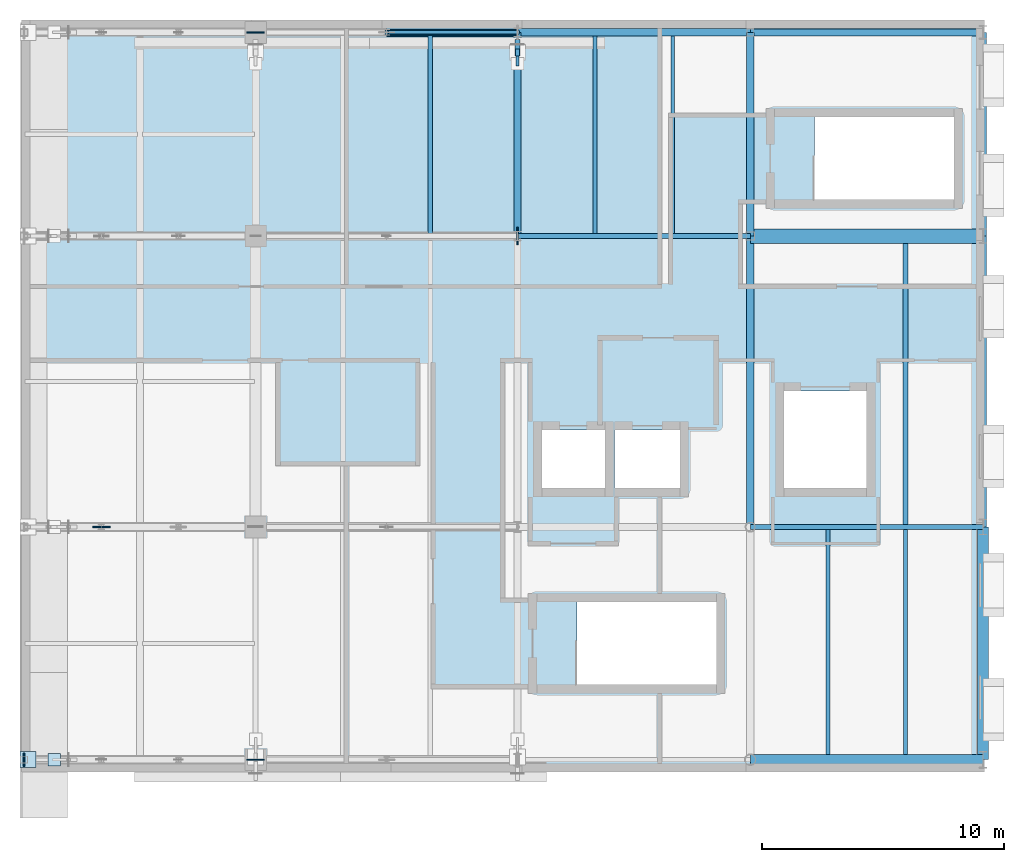
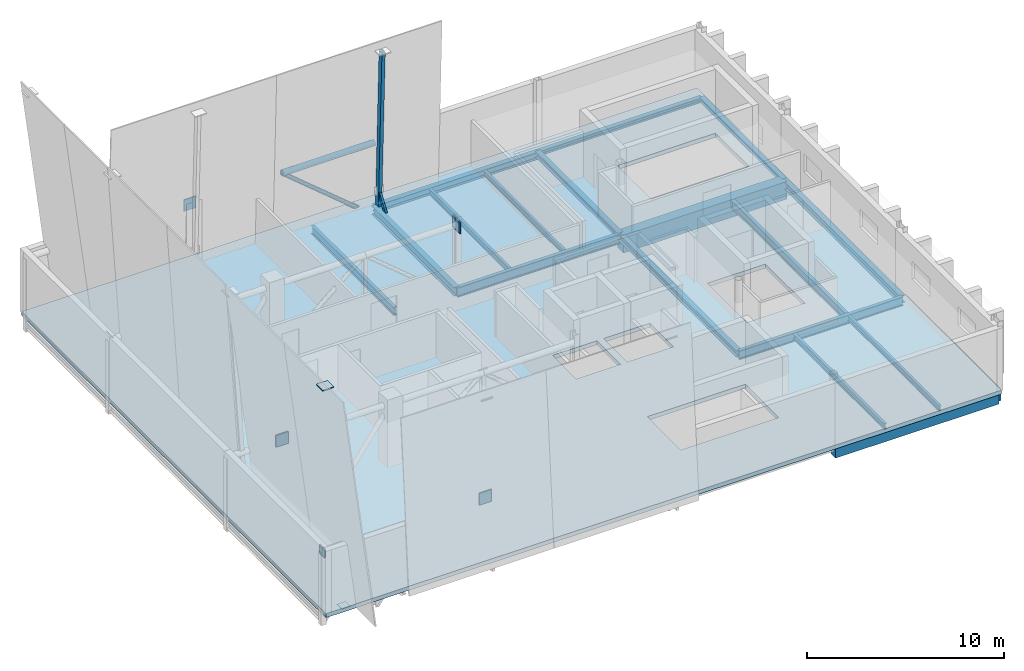
# One storey, part 4 of 10: 18 beams, 7 plates, 4 members, 1 slab.
"""IFC4 building model written with IfcOpenShell, lengths in metres."""

from ifc_helpers import new_model, si_unit, direction, frame, origin, origin_2d, place, context, subcontext, project, spatial, polyline, rectangle, hollow_rectangle, hollow_circle, i_section, outline, extrude, material, layer, layer_set, material_profile, profile_set, type_object, element, save


model = new_model("IFC4")

# Units and contexts
model_context = context("Model", 3, precision=1e-05, world=origin(), true_north=direction((0.0, 1.0)))
body_context = subcontext(model_context, "Body", "Model", "MODEL_VIEW")
ifc_project = project(units=[si_unit("LENGTHUNIT", "METRE"), si_unit("AREAUNIT", "SQUARE_METRE"), si_unit("VOLUMEUNIT", "CUBIC_METRE"), si_unit("PLANEANGLEUNIT", "RADIAN"), si_unit("MASSUNIT", "GRAM", prefix="KILO")], contexts=[model_context])

# Site, building, storey
site_placement = place(None, origin())
site = spatial("IfcSite", under=ifc_project, at=site_placement, CompositionType="ELEMENT")
building_placement = place(site_placement, origin())
building = spatial("IfcBuilding", under=site, at=building_placement, Name="Zereglee Splitstone Museum", CompositionType="ELEMENT")
storey_placement = place(building_placement, frame((0.0, 0.0, 25.5)))
storey = spatial("IfcBuildingStorey", under=building, at=storey_placement, Name="L05", CompositionType="ELEMENT", Elevation=25.5)

# Beam
ifc_material_1 = material(Name="Concrete C40/50", Category="concrete")
ifc_material_profile_1 = material_profile(ifc_material_1, rectangle(XDim=0.60009765625, YDim=1.10009765625, at=origin_2d()), Name="RC 600x1100")
ifc_profile_set_1 = profile_set([ifc_material_profile_1], Name="Concrete C40/50")
beam_type_1 = type_object("IfcBeamType", Name="BG-01", PredefinedType="BEAM", material=ifc_profile_set_1)
beam_1_placement = place(storey_placement, frame((30.0, 21.60009765625, -0.800048828125), z_axis=(1.0, 0.0, 0.0), x_axis=(0.0, 1.0, 0.0)))
element("IfcBeam", 1, at=beam_1_placement, inside=storey, type_object=beam_type_1, Name="Primary Girder L05 C (30.0-39.6)", PredefinedType="BEAM", context=body_context, shape_type="SweptSolid", body=[
    extrude(rectangle(XDim=0.60009765625, YDim=1.10009765625, at=origin_2d()), origin(), (0.0, 0.0, 1.0), 9.60009765625),
])

# Members
ifc_material_2 = material(Name="Steel S355J2H", Category="steel")
ifc_material_profile_2 = material_profile(ifc_material_2, hollow_circle(Radius=0.122314453125, WallThickness=0.012451171875, at=origin_2d()), Name="CHS 244.5x12.5")
ifc_profile_set_2 = profile_set([ifc_material_profile_2], Name="Steel S355J2H")
member_type_1 = type_object("IfcMemberType", Name="TB-02", PredefinedType="BRACE", material=ifc_profile_set_2)
member_1_placement = place(storey_placement, frame((20.39990234375, 30.0, -0.89990234375), z_axis=(-0.768215585699, 0.0, 0.640191232281), x_axis=(0.0, -1.0, 0.0)))
element("IfcMember", 2, at=member_1_placement, inside=storey, type_object=member_type_1, Name="Cantilever Truss CT-04 Web Brace L05-5", PredefinedType="BRACE", context=body_context, shape_type="SweptSolid", body=[
    extrude(hollow_circle(Radius=0.122314453125, WallThickness=0.012451171875, at=origin_2d()), origin(), (0.0, 0.0, 1.0), 7.029052734375),
])
ifc_material_profile_3 = material_profile(ifc_material_2, hollow_circle(Radius=0.177734375, WallThickness=0.01611328125, at=origin_2d()), Name="CHS 355.6x16")
ifc_profile_set_3 = profile_set([ifc_material_profile_3], Name="Steel S355J2H")
member_type_2 = type_object("IfcMemberType", Name="TC-04", PredefinedType="CHORD", material=ifc_profile_set_3)
member_2_placement = place(storey_placement, frame((15.0, 30.0, 3.60009765625), z_axis=(1.0, 0.0, 0.0), x_axis=(0.0, 1.0, 0.0)))
element("IfcMember", 3, at=member_2_placement, inside=storey, type_object=member_type_2, Name="Cantilever Truss CT-04 Top Chord L05-5", PredefinedType="CHORD", context=body_context, shape_type="SweptSolid", body=[
    extrude(hollow_circle(Radius=0.177734375, WallThickness=0.01611328125, at=origin_2d()), origin(), (0.0, 0.0, 1.0), 5.39990234375),
])

# Beams
ifc_material_3 = material(Name="Steel S355J2", Category="steel")
ifc_material_profile_4 = material_profile(ifc_material_3, i_section(OverallWidth=0.300048828125, OverallDepth=0.360107421875, WebThickness=0.012451171875, FlangeThickness=0.0224609375, FilletRadius=0.027099609375, at=origin_2d()), Name="HE 360 B")
ifc_profile_set_4 = profile_set([ifc_material_profile_4], Name="Steel S355J2")
beam_type_2 = type_object("IfcBeamType", Name="BG-14", PredefinedType="BEAM", material=ifc_profile_set_4)
beam_2_placement = place(storey_placement, frame((30.0, 21.60009765625, -0.429931640625), z_axis=(0.0, 1.0, 0.0), x_axis=(-1.0, 0.0, 0.0)))
element("IfcBeam", 4, at=beam_2_placement, inside=storey, type_object=beam_type_2, Name="Primary Girder L05 5 (21.6-30.0)", PredefinedType="BEAM", context=body_context, shape_type="SweptSolid", body=[
    extrude(i_section(OverallWidth=0.300048828125, OverallDepth=0.360107421875, WebThickness=0.012451171875, FlangeThickness=0.0224609375, FilletRadius=0.027099609375, at=origin_2d()), origin(), (0.0, 0.0, 1.0), 8.39990234375),
])
ifc_material_profile_5 = material_profile(ifc_material_3, i_section(OverallWidth=0.300048828125, OverallDepth=0.39990234375, WebThickness=0.013427734375, FlangeThickness=0.02392578125, FilletRadius=0.027099609375, at=origin_2d()), Name="HE 400 B")
ifc_profile_set_5 = profile_set([ifc_material_profile_5], Name="Steel S355J2")
beam_type_3 = type_object("IfcBeamType", Name="BG-13", PredefinedType="BEAM", material=ifc_profile_set_5)
beam_3_placement = place(storey_placement, frame((30.0, 9.60009765625, -0.449951171875), z_axis=(0.0, 1.0, 0.0), x_axis=(-1.0, 0.0, 0.0)))
element("IfcBeam", 5, at=beam_3_placement, inside=storey, type_object=beam_type_3, Name="Primary Girder L05 5 (9.6-21.6)", PredefinedType="BEAM", context=body_context, shape_type="SweptSolid", body=[
    extrude(i_section(OverallWidth=0.300048828125, OverallDepth=0.39990234375, WebThickness=0.013427734375, FlangeThickness=0.02392578125, FilletRadius=0.027099609375, at=origin_2d()), origin(), (0.0, 0.0, 1.0), 12.0),
])
ifc_material_profile_6 = material_profile(ifc_material_3, i_section(OverallWidth=0.300048828125, OverallDepth=0.550048828125, WebThickness=0.014892578125, FlangeThickness=0.029052734375, FilletRadius=0.027099609375, at=origin_2d()), Name="HE 550 B")
ifc_profile_set_6 = profile_set([ifc_material_profile_6], Name="Steel S355J2")
beam_type_4 = type_object("IfcBeamType", Name="BG-11", PredefinedType="BEAM", material=ifc_profile_set_6)
beam_4_placement = place(storey_placement, frame((20.39990234375, 21.60009765625, -0.52490234375), z_axis=(0.0, 1.0, 0.0), x_axis=(-1.0, 0.0, 0.0)))
element("IfcBeam", 6, at=beam_4_placement, inside=storey, type_object=beam_type_4, Name="Primary Girder L05 4 (21.6-30.0)", PredefinedType="BEAM", context=body_context, shape_type="SweptSolid", body=[
    extrude(i_section(OverallWidth=0.300048828125, OverallDepth=0.550048828125, WebThickness=0.014892578125, FlangeThickness=0.029052734375, FilletRadius=0.027099609375, at=origin_2d()), origin(), (0.0, 0.0, 1.0), 8.39990234375),
])
ifc_material_profile_7 = material_profile(ifc_material_3, i_section(OverallWidth=0.2099609375, OverallDepth=0.550048828125, WebThickness=0.010986328125, FlangeThickness=0.01708984375, FilletRadius=0.02392578125, at=origin_2d()), Name="IPE 550")
ifc_profile_set_7 = profile_set([ifc_material_profile_7], Name="Steel S355J2")
beam_type_5 = type_object("IfcBeamType", Name="BG-16", PredefinedType="BEAM", material=ifc_profile_set_7)
beam_5_placement = place(storey_placement, frame((30.0, 9.60009765625, -0.52490234375), z_axis=(1.0, 0.0, 0.0), x_axis=(0.0, 1.0, 0.0)))
element("IfcBeam", 7, at=beam_5_placement, inside=storey, type_object=beam_type_5, Name="Primary Girder L05 B (30.0-39.6)", PredefinedType="BEAM", context=body_context, shape_type="SweptSolid", body=[
    extrude(i_section(OverallWidth=0.2099609375, OverallDepth=0.550048828125, WebThickness=0.010986328125, FlangeThickness=0.01708984375, FilletRadius=0.02392578125, at=origin_2d()), origin(), (0.0, 0.0, 1.0), 9.60009765625),
])
ifc_material_profile_8 = material_profile(ifc_material_3, i_section(OverallWidth=0.219970703125, OverallDepth=0.60009765625, WebThickness=0.011962890625, FlangeThickness=0.01904296875, FilletRadius=0.02392578125, at=origin_2d()), Name="IPE 600")
ifc_profile_set_8 = profile_set([ifc_material_profile_8], Name="Steel S355J2")
beam_type_6 = type_object("IfcBeamType", Name="BG-15", PredefinedType="BEAM", material=ifc_profile_set_8)
beam_6_placement = place(storey_placement, frame((20.39990234375, 21.60009765625, -0.550048828125), z_axis=(1.0, 0.0, 0.0), x_axis=(0.0, 1.0, 0.0)))
element("IfcBeam", 8, at=beam_6_placement, inside=storey, type_object=beam_type_6, Name="Primary Girder L05 C (20.4-30.0)", PredefinedType="BEAM", context=body_context, shape_type="SweptSolid", body=[
    extrude(i_section(OverallWidth=0.219970703125, OverallDepth=0.60009765625, WebThickness=0.011962890625, FlangeThickness=0.01904296875, FilletRadius=0.02392578125, at=origin_2d()), origin(), (0.0, 0.0, 1.0), 9.60009765625),
])
ifc_material_profile_9 = material_profile(ifc_material_3, i_section(OverallWidth=0.159912109375, OverallDepth=0.330078125, WebThickness=0.007568359375, FlangeThickness=0.011474609375, FilletRadius=0.01806640625, at=origin_2d()), Name="IPE 330")
ifc_profile_set_9 = profile_set([ifc_material_profile_9], Name="Steel S355J2")
beam_type_7 = type_object("IfcBeamType", Name="BJ-05", PredefinedType="JOIST", material=ifc_profile_set_9)
beam_7_placement = place(storey_placement, frame((36.39990234375, 0.22509765625, -0.4150390625), z_axis=(0.0, 1.0, 0.0), x_axis=(-1.0, 0.0, 0.0)))
element("IfcBeam", 9, at=beam_7_placement, inside=storey, type_object=beam_type_7, Name="Secondary Floor Joist L05-1586", PredefinedType="JOIST", context=body_context, shape_type="SweptSolid", body=[
    extrude(i_section(OverallWidth=0.159912109375, OverallDepth=0.330078125, WebThickness=0.007568359375, FlangeThickness=0.011474609375, FilletRadius=0.01806640625, at=origin_2d()), origin(), (0.0, 0.0, 1.0), 9.27001953125),
])
beam_8_placement = place(storey_placement, frame((26.800048828125, 21.7099609375, -0.4150390625), z_axis=(0.0, 1.0, 0.0), x_axis=(-1.0, 0.0, 0.0)))
element("IfcBeam", 10, at=beam_8_placement, inside=storey, type_object=beam_type_7, Name="Secondary Floor Joist L05-1593", PredefinedType="JOIST", context=body_context, shape_type="SweptSolid", body=[
    extrude(i_section(OverallWidth=0.159912109375, OverallDepth=0.330078125, WebThickness=0.007568359375, FlangeThickness=0.011474609375, FilletRadius=0.01806640625, at=origin_2d()), origin(), (0.0, 0.0, 1.0), 8.14013671875),
])
ifc_material_profile_10 = material_profile(ifc_material_3, i_section(OverallWidth=0.169921875, OverallDepth=0.360107421875, WebThickness=0.008056640625, FlangeThickness=0.0126953125, FilletRadius=0.01806640625, at=origin_2d()), Name="IPE 360")
ifc_profile_set_10 = profile_set([ifc_material_profile_10], Name="Steel S355J2")
beam_type_8 = type_object("IfcBeamType", Name="BJ-04", PredefinedType="JOIST", material=ifc_profile_set_10)
beam_9_placement = place(storey_placement, frame((33.199951171875, 0.22509765625, -0.429931640625), z_axis=(0.0, 1.0, 0.0), x_axis=(-1.0, 0.0, 0.0)))
element("IfcBeam", 11, at=beam_9_placement, inside=storey, type_object=beam_type_8, Name="Secondary Floor Joist L05-1585", PredefinedType="JOIST", context=body_context, shape_type="SweptSolid", body=[
    extrude(i_section(OverallWidth=0.169921875, OverallDepth=0.360107421875, WebThickness=0.008056640625, FlangeThickness=0.0126953125, FilletRadius=0.01806640625, at=origin_2d()), origin(), (0.0, 0.0, 1.0), 9.27001953125),
])
beam_10_placement = place(storey_placement, frame((23.60009765625, 21.7099609375, -0.429931640625), z_axis=(0.0, 1.0, 0.0), x_axis=(-1.0, 0.0, 0.0)))
element("IfcBeam", 12, at=beam_10_placement, inside=storey, type_object=beam_type_8, Name="Secondary Floor Joist L05-1592", PredefinedType="JOIST", context=body_context, shape_type="SweptSolid", body=[
    extrude(i_section(OverallWidth=0.169921875, OverallDepth=0.360107421875, WebThickness=0.008056640625, FlangeThickness=0.0126953125, FilletRadius=0.01806640625, at=origin_2d()), origin(), (0.0, 0.0, 1.0), 8.14013671875),
])
ifc_material_profile_11 = material_profile(ifc_material_3, i_section(OverallWidth=0.199951171875, OverallDepth=0.5, WebThickness=0.01025390625, FlangeThickness=0.01611328125, FilletRadius=0.02099609375, at=origin_2d()), Name="IPE 500")
ifc_profile_set_11 = profile_set([ifc_material_profile_11], Name="Steel S355J2")
beam_type_9 = type_object("IfcBeamType", Name="BJ-01", PredefinedType="JOIST", material=ifc_profile_set_11)
beam_11_placement = place(storey_placement, frame((36.39990234375, 9.705078125, -0.5), z_axis=(0.0, 1.0, 0.0), x_axis=(-1.0, 0.0, 0.0)))
element("IfcBeam", 13, at=beam_11_placement, inside=storey, type_object=beam_type_9, Name="Secondary Floor Joist L05-1589", PredefinedType="JOIST", context=body_context, shape_type="SweptSolid", body=[
    extrude(i_section(OverallWidth=0.199951171875, OverallDepth=0.5, WebThickness=0.01025390625, FlangeThickness=0.01611328125, FilletRadius=0.02099609375, at=origin_2d()), origin(), (0.0, 0.0, 1.0), 11.594970703125),
])
beam_12_placement = place(storey_placement, frame((16.800048828125, 21.60009765625, -0.5), z_axis=(0.0, 1.0, 0.0), x_axis=(-1.0, 0.0, 0.0)))
element("IfcBeam", 14, at=beam_12_placement, inside=storey, type_object=beam_type_9, Name="Secondary Floor Joist L05-1591", PredefinedType="JOIST", context=body_context, shape_type="SweptSolid", body=[
    extrude(i_section(OverallWidth=0.199951171875, OverallDepth=0.5, WebThickness=0.01025390625, FlangeThickness=0.01611328125, FilletRadius=0.02099609375, at=origin_2d()), origin(), (0.0, 0.0, 1.0), 8.39990234375),
])
ifc_material_profile_12 = material_profile(ifc_material_3, i_section(OverallWidth=0.280029296875, OverallDepth=0.280029296875, WebThickness=0.010498046875, FlangeThickness=0.01806640625, FilletRadius=0.02392578125, at=origin_2d()), Name="HE 280 B")
ifc_profile_set_12 = profile_set([ifc_material_profile_12], Name="Steel S355J2")
beam_type_10 = type_object("IfcBeamType", Name="SP-03", PredefinedType="SPANDREL", material=ifc_profile_set_12)
beam_13_placement = place(storey_placement, frame((30.0, 30.0, -0.389892578125), z_axis=(1.0, 0.0, 0.0), x_axis=(0.0, 1.0, 0.0)))
element("IfcBeam", 15, at=beam_13_placement, inside=storey, type_object=beam_type_10, Name="Primary Girder L05 D (30.0-39.6)", PredefinedType="SPANDREL", context=body_context, shape_type="SweptSolid", body=[
    extrude(i_section(OverallWidth=0.280029296875, OverallDepth=0.280029296875, WebThickness=0.010498046875, FlangeThickness=0.01806640625, FilletRadius=0.02392578125, at=origin_2d()), origin(), (0.0, 0.0, 1.0), 9.60009765625),
])
beam_14_placement = place(storey_placement, frame((39.60009765625, 21.60009765625, -0.389892578125), z_axis=(0.0, 1.0, 0.0), x_axis=(-1.0, 0.0, 0.0)))
element("IfcBeam", 16, at=beam_14_placement, inside=storey, type_object=beam_type_10, Name="Primary Girder L05 6 (21.6-30.0)", PredefinedType="SPANDREL", context=body_context, shape_type="SweptSolid", body=[
    extrude(i_section(OverallWidth=0.280029296875, OverallDepth=0.280029296875, WebThickness=0.010498046875, FlangeThickness=0.01806640625, FilletRadius=0.02392578125, at=origin_2d()), origin(), (0.0, 0.0, 1.0), 8.39990234375),
])
ifc_material_profile_13 = material_profile(ifc_material_3, i_section(OverallWidth=0.300048828125, OverallDepth=0.449951171875, WebThickness=0.013916015625, FlangeThickness=0.02587890625, FilletRadius=0.027099609375, at=origin_2d()), Name="HE 450 B")
ifc_profile_set_13 = profile_set([ifc_material_profile_13], Name="Steel S355J2")
beam_type_11 = type_object("IfcBeamType", Name="SP-02", PredefinedType="SPANDREL", material=ifc_profile_set_13)
beam_15_placement = place(storey_placement, frame((20.39990234375, 30.0, -0.47509765625), z_axis=(1.0, 0.0, 0.0), x_axis=(0.0, 1.0, 0.0)))
element("IfcBeam", 17, at=beam_15_placement, inside=storey, type_object=beam_type_11, Name="Primary Girder L05 D (20.4-30.0)", PredefinedType="SPANDREL", context=body_context, shape_type="SweptSolid", body=[
    extrude(i_section(OverallWidth=0.300048828125, OverallDepth=0.449951171875, WebThickness=0.013916015625, FlangeThickness=0.02587890625, FilletRadius=0.027099609375, at=origin_2d()), origin(), (0.0, 0.0, 1.0), 9.60009765625),
])
beam_16_placement = place(storey_placement, frame((39.60009765625, 9.60009765625, -0.47509765625), z_axis=(0.0, 1.0, 0.0), x_axis=(-1.0, 0.0, 0.0)))
element("IfcBeam", 18, at=beam_16_placement, inside=storey, type_object=beam_type_11, Name="Primary Girder L05 6 (9.6-21.6)", PredefinedType="SPANDREL", context=body_context, shape_type="SweptSolid", body=[
    extrude(i_section(OverallWidth=0.300048828125, OverallDepth=0.449951171875, WebThickness=0.013916015625, FlangeThickness=0.02587890625, FilletRadius=0.027099609375, at=origin_2d()), origin(), (0.0, 0.0, 1.0), 12.0),
])
ifc_material_profile_14 = material_profile(ifc_material_1, rectangle(XDim=0.449951171875, YDim=0.75, at=origin_2d()), Name="RC 450x750")
ifc_profile_set_14 = profile_set([ifc_material_profile_14], Name="Concrete C40/50")
beam_type_12 = type_object("IfcBeamType", Name="SP-01", PredefinedType="SPANDREL", material=ifc_profile_set_14)
for number, where, z_axis, x_axis, name in (
    (19, (30.0, 0.0, -0.625), (1.0, 0.0, 0.0), (0.0, 1.0, 0.0), "Primary Girder L05 A (30.0-39.6)"),
    (20, (39.60009765625, 0.0, -0.625), (0.0, 1.0, 0.0), (-1.0, 0.0, 0.0), "Primary Girder L05 6 (0.0-9.6)"),
):
    element("IfcBeam", number, at=place(storey_placement, frame(where, z_axis=z_axis, x_axis=x_axis)), inside=storey, type_object=beam_type_12, Name=name, PredefinedType="SPANDREL", context=body_context, shape_type="SweptSolid", body=[
        extrude(rectangle(XDim=0.449951171875, YDim=0.75, at=origin_2d()), origin(), (0.0, 0.0, 1.0), 9.60009765625),
    ])

# Members
ifc_material_profile_15 = material_profile(ifc_material_2, hollow_rectangle(XDim=0.199951171875, YDim=0.300048828125, WallThickness=0.012451171875, at=origin_2d()), Name="RHS 300x200x12.5")
ifc_profile_set_15 = profile_set([ifc_material_profile_15], Name="Steel S355J2H")
member_type_3 = type_object("IfcMemberType", Name="FS-R1", PredefinedType="STRUT", material=ifc_profile_set_15)
member_3_placement = place(storey_placement, frame((20.39990234375, 29.55126953125, -0.5), z_axis=(0.0, -0.037117872059, 0.999310894354), x_axis=(1.0, 0.0, 0.0)))
element("IfcMember", 21, at=member_3_placement, inside=storey, type_object=member_type_3, Name="Split-Rock Continuous Facet Strut FH-V1N-W L05-02", PredefinedType="STRUT", context=body_context, shape_type="SweptSolid", body=[
    extrude(hollow_rectangle(XDim=0.199951171875, YDim=0.300048828125, WallThickness=0.012451171875, at=origin_2d()), origin(), (0.0, 0.0, 1.0), 10.287109375),
])
ifc_material_profile_16 = material_profile(ifc_material_2, hollow_rectangle(XDim=0.1201171875, YDim=0.199951171875, WallThickness=0.008056640625, at=origin_2d()), Name="RHS 200x120x8")
ifc_profile_set_16 = profile_set([ifc_material_profile_16], Name="Steel S355J2H")
member_type_4 = type_object("IfcMemberType", Name="FS-T1", PredefinedType="STRUT", material=ifc_profile_set_16)
member_4_placement = place(storey_placement, frame((20.39990234375, 28.699951171875, -0.2099609375), z_axis=(0.0, 0.566492015675, 0.824067227947), x_axis=(-1.0, 0.0, 0.0)))
element("IfcMember", 22, at=member_4_placement, inside=storey, type_object=member_type_4, Name="Facet Tie-Back Strut FH-V1N-W L05-02", PredefinedType="STRUT", context=body_context, shape_type="SweptSolid", body=[
    extrude(hollow_rectangle(XDim=0.1201171875, YDim=0.199951171875, WallThickness=0.008056640625, at=origin_2d()), origin(), (0.0, 0.0, 1.0), 1.407470703125),
])

# Plates
ifc_layer_1 = layer(ifc_material_3, 0.030029296875)
ifc_layer_set_1 = layer_set([ifc_layer_1], Name="Steel S355J2")
plate_type_1 = type_object("IfcPlateType", Name="NP-04", PredefinedType="SHEET", material=ifc_layer_set_1)
plate_1_placement = place(storey_placement, frame((0.050048828125, 0.0, 3.340087890625), z_axis=(0.0, 0.0, 1.0), x_axis=(1.0, 0.0, 0.0)))
element("IfcPlate", 23, at=plate_1_placement, inside=storey, type_object=plate_type_1, Name="Cantilever Truss Node Plate CN-01", PredefinedType="SHEET", context=body_context, shape_type="SweptSolid", body=[
    extrude(rectangle(XDim=0.06005859375, YDim=0.52001953125, at=origin_2d()), origin(), (0.0, 0.0, 1.0), 0.52001953125),
])
plate_2_placement = place(storey_placement, frame((1.300048828125, 0.0, -0.22509765625), z_axis=(0.0, 0.0, 1.0), x_axis=(1.0, 0.0, 0.0)))
element("IfcPlate", 24, at=plate_2_placement, inside=storey, type_object=plate_type_1, Name="Facet Tie Seal Plate FH-V1W-S", PredefinedType="SHEET", context=body_context, shape_type="SweptSolid", body=[
    extrude(rectangle(XDim=0.52001953125, YDim=0.52001953125, at=origin_2d()), origin(), (0.0, 0.0, 1.0), 0.030029296875),
])
ifc_layer_2 = layer(ifc_material_3, 0.050048828125)
ifc_layer_set_2 = layer_set([ifc_layer_2], Name="Steel S355J2")
plate_type_2 = type_object("IfcPlateType", Name="NP-02", PredefinedType="SHEET", material=ifc_layer_set_2)
plate_3_placement = place(storey_placement, frame((0.21728515625, 0.0, 13.7548828125), z_axis=(0.0, 0.0, 1.0), x_axis=(1.0, 0.0, 0.0)))
element("IfcPlate", 25, at=plate_3_placement, inside=storey, type_object=plate_type_2, Name="Facet Strut Seal Plate FH-V1W-S", PredefinedType="SHEET", context=body_context, shape_type="SweptSolid", body=[
    extrude(rectangle(XDim=0.659912109375, YDim=0.659912109375, at=origin_2d()), origin(), (0.0, 0.0, 1.0), 0.050048828125),
])
ifc_layer_3 = layer(ifc_material_3, 0.06005859375)
ifc_layer_set_3 = layer_set([ifc_layer_3], Name="Steel S355J2")
plate_type_3 = type_object("IfcPlateType", Name="NP-01", PredefinedType="SHEET", material=ifc_layer_set_3)
for number, where, z_axis, x_axis, name in (
    (26, (9.60009765625, 0.0, 3.240234375), (0.0, 0.0, 1.0), (1.0, 0.0, 0.0), "Cantilever Truss Node Plate CN-01"),
    (27, (3.2333984375, 9.60009765625, 3.240234375), (0.0, 0.0, 1.0), (1.0, 0.0, 0.0), "Cantilever Truss Node Plate CN-02"),
):
    element("IfcPlate", number, at=place(storey_placement, frame(where, z_axis=z_axis, x_axis=x_axis)), inside=storey, type_object=plate_type_3, Name=name, PredefinedType="SHEET", context=body_context, shape_type="SweptSolid", body=[
        extrude(rectangle(XDim=0.719970703125, YDim=0.06005859375, at=origin_2d()), origin(), (0.0, 0.0, 1.0), 0.719970703125),
    ])
plate_4_placement = place(storey_placement, frame((20.39990234375, 21.60009765625, 3.240234375), z_axis=(0.0, 0.0, 1.0), x_axis=(1.0, 0.0, 0.0)))
element("IfcPlate", 28, at=plate_4_placement, inside=storey, type_object=plate_type_3, Name="Cantilever Truss Node Plate CN-03", PredefinedType="SHEET", context=body_context, shape_type="SweptSolid", body=[
    extrude(rectangle(XDim=0.06005859375, YDim=0.719970703125, at=origin_2d()), origin(), (0.0, 0.0, 1.0), 0.719970703125),
])
plate_5_placement = place(storey_placement, frame((9.60009765625, 30.0, 3.240234375), z_axis=(0.0, 0.0, 1.0), x_axis=(1.0, 0.0, 0.0)))
element("IfcPlate", 29, at=plate_5_placement, inside=storey, type_object=plate_type_3, Name="Cantilever Truss Node Plate CN-04", PredefinedType="SHEET", context=body_context, shape_type="SweptSolid", body=[
    extrude(rectangle(XDim=0.719970703125, YDim=0.06005859375, at=origin_2d()), origin(), (0.0, 0.0, 1.0), 0.719970703125),
])

# Slab
ifc_material_4 = material(Name="Concrete C35/45", Category="concrete")
ifc_layer_4 = layer(ifc_material_4, 0.25)
ifc_layer_set_4 = layer_set([ifc_layer_4], Name="Concrete C35/45")
slab_type = type_object("IfcSlabType", Name="FS-06", PredefinedType="FLOOR", material=ifc_layer_set_4)
slab_placement = place(storey_placement, frame((0.0, 0.0, -0.25)))
element("IfcSlab", 30, at=slab_placement, inside=storey, type_object=slab_type, Name="Gallery Floor Slab L05-V1", PredefinedType="FLOOR", context=body_context, shape_type="SweptSolid", body=[
    extrude(outline(polyline([(0.0, -0.449951171875), (39.60009765625, -0.449951171875), (39.60009765625, 30.449951171875), (0.0, 30.449951171875), (0.0, -0.449951171875)]), holes=[polyline([(22.85400390625, 3.10009765625), (28.60009765625, 3.10009765625), (28.60009765625, 6.5), (22.85400390625, 6.5), (22.85400390625, 3.10009765625)]), polyline([(32.654052734375, 23.10009765625), (38.39990234375, 23.10009765625), (38.39990234375, 26.5), (32.654052734375, 26.5), (32.654052734375, 23.10009765625)]), polyline([(21.39990234375, 11.199951171875), (24.0, 11.199951171875), (24.0, 13.60009765625), (21.39990234375, 13.60009765625), (21.39990234375, 11.199951171875)]), polyline([(24.39990234375, 11.199951171875), (27.10009765625, 11.199951171875), (27.10009765625, 13.60009765625), (24.39990234375, 13.60009765625), (24.39990234375, 11.199951171875)]), polyline([(31.39990234375, 11.199951171875), (34.800048828125, 11.199951171875), (34.800048828125, 15.199951171875), (31.39990234375, 15.199951171875), (31.39990234375, 11.199951171875)])]), origin(), (0.0, 0.0, 1.0), 0.25),
])

save(model, "model.ifc")
